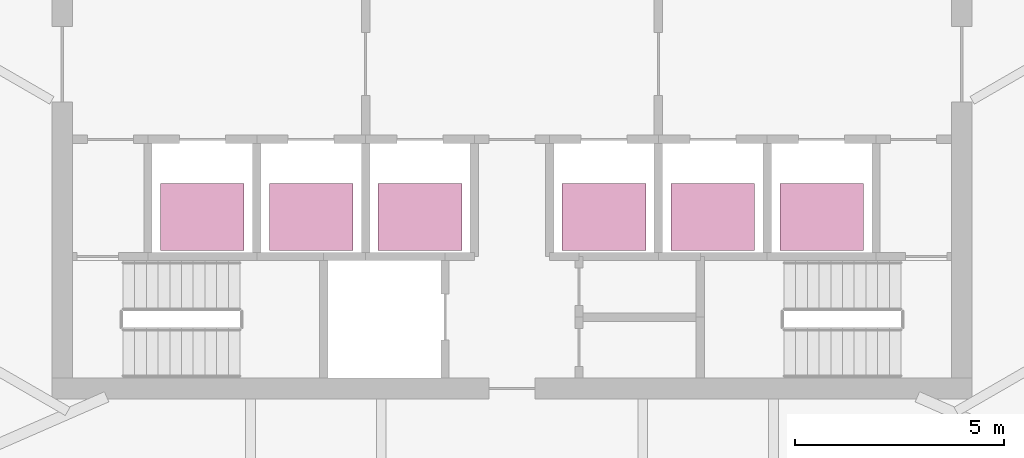
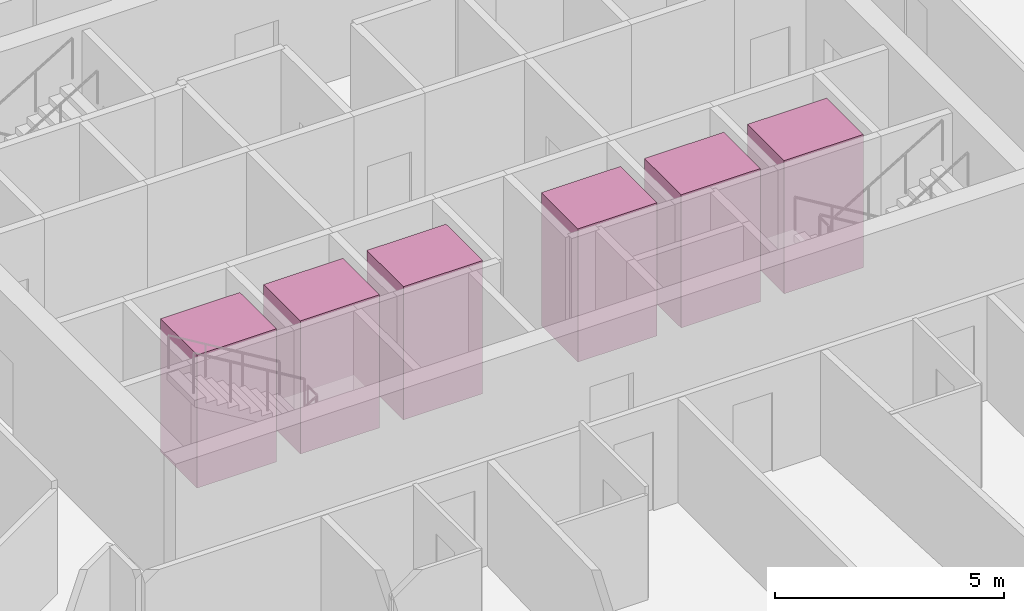
# One storey, part 23 of 23: 6 transport elements.
"""IFC4 building model written with IfcOpenShell, lengths in metres."""

from ifc_helpers import new_model, si_unit, direction, frame, origin, origin_2d, place, context, subcontext, project, spatial, rectangle, extrude, material, type_object, element, save


model = new_model("IFC4")

# Units and contexts
model_context = context("Model", 3, precision=1e-05, world=origin(), true_north=direction((0.0, 1.0)))
body_context = subcontext(model_context, "Body", "Model", "MODEL_VIEW")
ifc_project = project(units=[si_unit("LENGTHUNIT", "METRE"), si_unit("AREAUNIT", "SQUARE_METRE"), si_unit("VOLUMEUNIT", "CUBIC_METRE"), si_unit("PLANEANGLEUNIT", "RADIAN"), si_unit("MASSUNIT", "GRAM", prefix="KILO")], contexts=[model_context])

# Site, building, storey
site_placement = place(None, origin())
site = spatial("IfcSite", under=ifc_project, at=site_placement, CompositionType="ELEMENT")
building_placement = place(site_placement, origin())
building = spatial("IfcBuilding", under=site, at=building_placement, Name="Sierra Prisma Convention Tower", CompositionType="ELEMENT")
storey_placement = place(building_placement, frame((0.0, 0.0, 70.199951171875)))
storey = spatial("IfcBuildingStorey", under=building, at=storey_placement, Name="L13", CompositionType="ELEMENT", Elevation=70.199951171875)

# Transport elements
ifc_material = material(Name="Stainless steel", Category="steel")
transport_element_type = type_object("IfcTransportElementType", Name="Lift car hotel 2000x1600 1600 kg", PredefinedType="ELEVATOR", material=ifc_material)
for number, where, z_axis, x_axis, name in (
    (1, (-7.39990234375, -3.64990234375, 0.0), (0.0, 0.0, 1.0), (1.0, 0.0, 0.0), "Lift HT1"),
    (2, (-4.800048828125, -3.64990234375, 0.0), (0.0, 0.0, 1.0), (1.0, 0.0, 0.0), "Lift HT2"),
    (3, (-2.199951171875, -3.64990234375, 0.0), (0.0, 0.0, 1.0), (1.0, 0.0, 0.0), "Lift HT3"),
    (4, (2.199951171875, -3.64990234375, 0.0), (0.0, 0.0, 1.0), (1.0, 0.0, 0.0), "Lift HT4"),
    (5, (4.800048828125, -3.64990234375, 0.0), (0.0, 0.0, 1.0), (1.0, 0.0, 0.0), "Lift HT5"),
    (6, (7.39990234375, -3.64990234375, 0.0), (0.0, 0.0, 1.0), (1.0, 0.0, 0.0), "Lift HT6"),
):
    element("IfcTransportElement", number, at=place(storey_placement, frame(where, z_axis=z_axis, x_axis=x_axis)), inside=storey, type_object=transport_element_type, Name=name, PredefinedType="ELEVATOR", context=body_context, shape_type="SweptSolid", body=[
        extrude(rectangle(XDim=2.0, YDim=1.60009765625, at=origin_2d()), origin(), (0.0, 0.0, 1.0), 3.550048828125),
    ])

save(model, "model.ifc")
